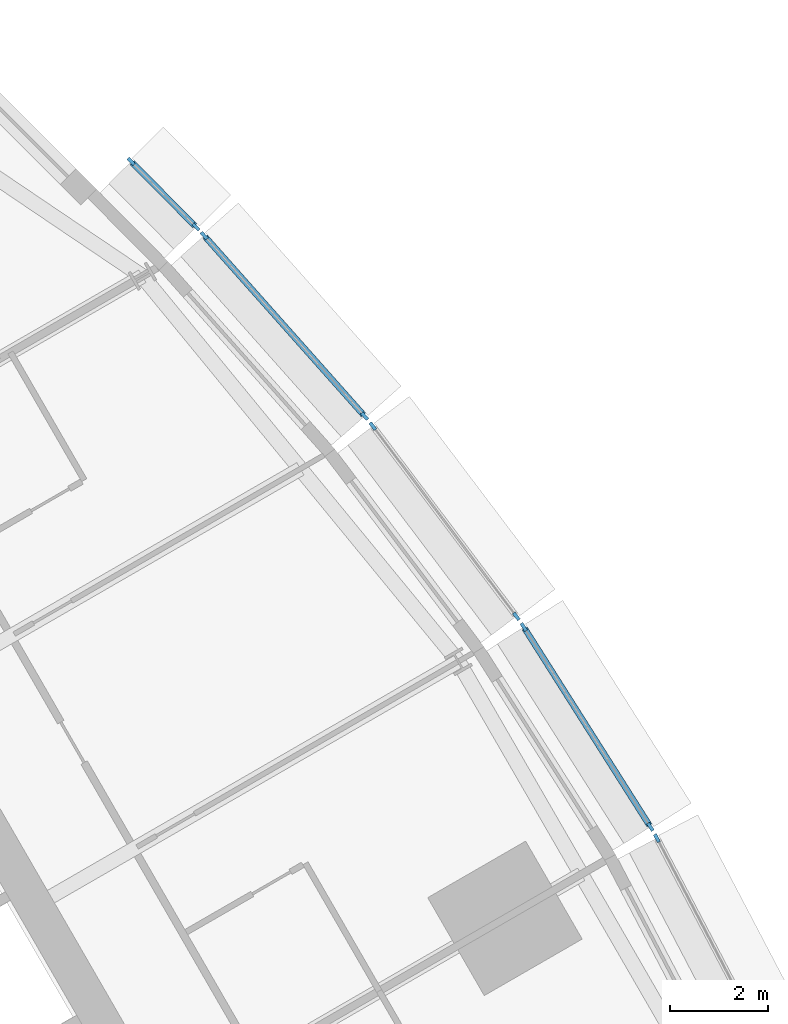
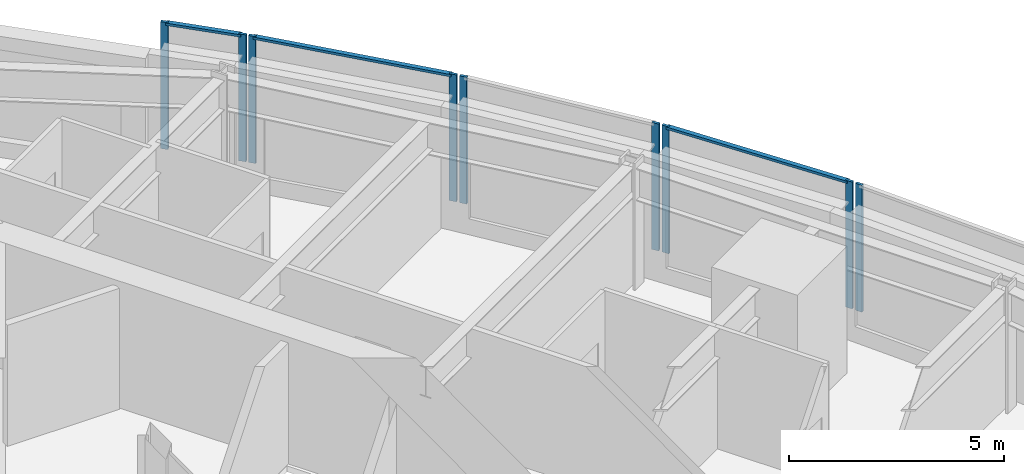
# One storey, part 6 of 15: 12 members, 5 elements without a shape of their own.
"""IFC4 building model written with IfcOpenShell, lengths in metres."""

from ifc_helpers import new_model, si_unit, direction, frame, origin, origin_2d, place, context, subcontext, project, spatial, rectangle, extrude, material, material_profile, profile_set, type_object, element, aggregate, save


model = new_model("IFC4")

# Units and contexts
model_context = context("Model", 3, precision=1e-05, world=origin(), true_north=direction((0.0, 1.0)))
body_context = subcontext(model_context, "Body", "Model", "MODEL_VIEW")
ifc_project = project(units=[si_unit("LENGTHUNIT", "METRE"), si_unit("AREAUNIT", "SQUARE_METRE"), si_unit("VOLUMEUNIT", "CUBIC_METRE"), si_unit("PLANEANGLEUNIT", "RADIAN"), si_unit("MASSUNIT", "GRAM", prefix="KILO")], contexts=[model_context])

# Site, building, storey
site_placement = place(None, origin())
site = spatial("IfcSite", under=ifc_project, at=site_placement, CompositionType="ELEMENT")
building_placement = place(site_placement, origin())
building = spatial("IfcBuilding", under=site, at=building_placement, Name="Trikona Tower", CompositionType="ELEMENT")
storey_placement = place(building_placement, frame((0.0, 0.0, 222.5)))
storey = spatial("IfcBuildingStorey", under=building, at=storey_placement, Name="L59", CompositionType="ELEMENT", Elevation=222.5)

# Curtain wall, member
ifc_material_1 = material(Name="Aluminium curtain wall system", Category="aluminium")
curtain_wall_type = type_object("IfcCurtainWallType", Name="Curtain wall DS3", PredefinedType="NOTDEFINED", material=ifc_material_1)
curtain_wall_1_placement = place(storey_placement, origin())
curtain_wall_1 = element("IfcCurtainWall", 1, at=curtain_wall_1_placement, inside=storey, type_object=curtain_wall_type, Name="Curtain wall DS3 L59", PredefinedType="NOTDEFINED")
ifc_material_2 = material(Name="Aluminium mullion, pale anodised", Category="aluminium")
ifc_material_profile_1 = material_profile(ifc_material_2, rectangle(XDim=0.070068359375, YDim=0.179931640625, at=origin_2d()), Name="MUL-DS3")
ifc_profile_set_1 = profile_set([ifc_material_profile_1], Name="Aluminium mullion, pale anodised")
member_type_1 = type_object("IfcMemberType", Name="Mullion DS3 70x180", PredefinedType="MULLION", material=ifc_profile_set_1)
member_1_placement = place(storey_placement, frame((18.40234375, 10.472412109375, 0.0), z_axis=(0.0, 0.0, 1.0), x_axis=(-0.885862390527, -0.463948084434, 0.0)))
member_1 = element("IfcMember", 2, at=member_1_placement, type_object=member_type_1, Name="CW-DS3 mullion 2", PredefinedType="MULLION", context=body_context, shape_type="SweptSolid", body=[
    extrude(rectangle(XDim=0.070068359375, YDim=0.179931640625, at=origin_2d()), origin(), (0.0, 0.0, 1.0), 3.60009765625),
])
aggregate(curtain_wall_1, [member_1])

# Curtain wall, members
curtain_wall_2_placement = place(storey_placement, origin())
curtain_wall_2 = element("IfcCurtainWall", 3, at=curtain_wall_2_placement, inside=storey, type_object=curtain_wall_type, Name="Curtain wall DS3 L59", PredefinedType="NOTDEFINED")
member_2_placement = place(storey_placement, frame((18.2705078125, 10.700927734375, 0.0), z_axis=(0.0, 0.0, 1.0), x_axis=(-0.844727131858, -0.535197227854, 0.0)))
member_2 = element("IfcMember", 4, at=member_2_placement, type_object=member_type_1, Name="CW-DS3 mullion 1", PredefinedType="MULLION", context=body_context, shape_type="SweptSolid", body=[
    extrude(rectangle(XDim=0.070068359375, YDim=0.179931640625, at=origin_2d()), origin(), (0.0, 0.0, 1.0), 3.60009765625),
])
member_3_placement = place(storey_placement, frame((15.69384765625, 14.767578125, 0.0), z_axis=(0.0, 0.0, 1.0), x_axis=(-0.844727131858, -0.535197227854, 0.0)))
member_3 = element("IfcMember", 5, at=member_3_placement, type_object=member_type_1, Name="CW-DS3 mullion 2", PredefinedType="MULLION", context=body_context, shape_type="SweptSolid", body=[
    extrude(rectangle(XDim=0.070068359375, YDim=0.179931640625, at=origin_2d()), origin(), (0.0, 0.0, 1.0), 3.60009765625),
])

curtain_wall_3_placement = place(storey_placement, origin())
curtain_wall_3 = element("IfcCurtainWall", 6, at=curtain_wall_3_placement, inside=storey, type_object=curtain_wall_type, Name="Curtain wall DS3 L59", PredefinedType="NOTDEFINED")
member_4_placement = place(storey_placement, frame((15.5439453125, 14.984130859375, 0.0), z_axis=(0.0, 0.0, 1.0), x_axis=(-0.798193208724, -0.602401528506, 0.0)))
member_4 = element("IfcMember", 7, at=member_4_placement, type_object=member_type_1, Name="CW-DS3 mullion 1", PredefinedType="MULLION", context=body_context, shape_type="SweptSolid", body=[
    extrude(rectangle(XDim=0.070068359375, YDim=0.179931640625, at=origin_2d()), origin(), (0.0, 0.0, 1.0), 3.60009765625),
])
member_5_placement = place(storey_placement, frame((12.62353515625, 18.853759765625, 0.0), z_axis=(0.0, 0.0, 1.0), x_axis=(-0.798193208724, -0.602401528506, 0.0)))
member_5 = element("IfcMember", 8, at=member_5_placement, type_object=member_type_1, Name="CW-DS3 mullion 2", PredefinedType="MULLION", context=body_context, shape_type="SweptSolid", body=[
    extrude(rectangle(XDim=0.070068359375, YDim=0.179931640625, at=origin_2d()), origin(), (0.0, 0.0, 1.0), 3.60009765625),
])
aggregate(curtain_wall_3, [member_4, member_5])

curtain_wall_4_placement = place(storey_placement, origin())
curtain_wall_4 = element("IfcCurtainWall", 9, at=curtain_wall_4_placement, inside=storey, type_object=curtain_wall_type, Name="Curtain wall DS3 L59", PredefinedType="NOTDEFINED")
member_6_placement = place(storey_placement, frame((12.45751953125, 19.056396484375, 0.0), z_axis=(0.0, 0.0, 1.0), x_axis=(-0.747402677853, -0.664371309689, 0.0)))
member_6 = element("IfcMember", 10, at=member_6_placement, type_object=member_type_1, Name="CW-DS3 mullion 1", PredefinedType="MULLION", context=body_context, shape_type="SweptSolid", body=[
    extrude(rectangle(XDim=0.070068359375, YDim=0.179931640625, at=origin_2d()), origin(), (0.0, 0.0, 1.0), 3.60009765625),
])
member_7_placement = place(storey_placement, frame((9.192138671875, 22.729736328125, 0.0), z_axis=(0.0, 0.0, 1.0), x_axis=(-0.747402677853, -0.664371309689, 0.0)))
member_7 = element("IfcMember", 11, at=member_7_placement, type_object=member_type_1, Name="CW-DS3 mullion 2", PredefinedType="MULLION", context=body_context, shape_type="SweptSolid", body=[
    extrude(rectangle(XDim=0.070068359375, YDim=0.179931640625, at=origin_2d()), origin(), (0.0, 0.0, 1.0), 3.60009765625),
])

curtain_wall_5_placement = place(storey_placement, origin())
curtain_wall_5 = element("IfcCurtainWall", 12, at=curtain_wall_5_placement, inside=storey, type_object=curtain_wall_type, Name="Curtain wall DS3 L59", PredefinedType="NOTDEFINED")
member_8_placement = place(storey_placement, frame((9.028564453125, 22.904052734375, 0.0), z_axis=(0.0, 0.0, 1.0), x_axis=(-0.710051900554, -0.704149343903, 0.0)))
member_8 = element("IfcMember", 13, at=member_8_placement, type_object=member_type_1, Name="CW-DS3 mullion 1", PredefinedType="MULLION", context=body_context, shape_type="SweptSolid", body=[
    extrude(rectangle(XDim=0.070068359375, YDim=0.179931640625, at=origin_2d()), origin(), (0.0, 0.0, 1.0), 3.60009765625),
])
member_9_placement = place(storey_placement, frame((7.7060546875, 24.237548828125, 0.0), z_axis=(0.0, 0.0, 1.0), x_axis=(-0.710051900554, -0.704149343903, 0.0)))
member_9 = element("IfcMember", 14, at=member_9_placement, type_object=member_type_1, Name="CW-DS3 mullion 2", PredefinedType="MULLION", context=body_context, shape_type="SweptSolid", body=[
    extrude(rectangle(XDim=0.070068359375, YDim=0.179931640625, at=origin_2d()), origin(), (0.0, 0.0, 1.0), 3.60009765625),
])

# Member
ifc_material_3 = material(Name="Aluminium transom, pale anodised", Category="aluminium")
ifc_material_profile_2 = material_profile(ifc_material_3, rectangle(XDim=0.1201171875, YDim=0.070068359375, at=origin_2d()), Name="TRN-DS3")
ifc_profile_set_2 = profile_set([ifc_material_profile_2], Name="Aluminium transom, pale anodised")
member_type_2 = type_object("IfcMemberType", Name="Transom DS3 70x120", PredefinedType="USERDEFINED", material=ifc_profile_set_2)
member_10_placement = place(storey_placement, frame((18.251708984375, 10.73046875, 3.56494140625), z_axis=(-0.535192866729, 0.844729894938, 0.0), x_axis=(-0.844729894938, -0.535192866729, 0.0)))
member_10 = element("IfcMember", 15, at=member_10_placement, type_object=member_type_2, Name="CW-DS3 transom 1.1", ObjectType="TRANSOM", PredefinedType="USERDEFINED", context=body_context, shape_type="SweptSolid", body=[
    extrude(rectangle(XDim=0.1201171875, YDim=0.070068359375, at=origin_2d()), origin(), (0.0, 0.0, 1.0), 4.744140625),
])

aggregate(curtain_wall_2, [member_2, member_3, member_10])

member_11_placement = place(storey_placement, frame((12.43408203125, 19.08251953125, 3.56494140625), z_axis=(-0.66436383883, 0.747409318684, 0.0), x_axis=(-0.747409318684, -0.66436383883, 0.0)))
member_11 = element("IfcMember", 16, at=member_11_placement, type_object=member_type_2, Name="CW-DS3 transom 1.1", ObjectType="TRANSOM", PredefinedType="USERDEFINED", context=body_context, shape_type="SweptSolid", body=[
    extrude(rectangle(XDim=0.1201171875, YDim=0.070068359375, at=origin_2d()), origin(), (0.0, 0.0, 1.0), 4.844970703125),
])

aggregate(curtain_wall_4, [member_6, member_7, member_11])

member_12_placement = place(storey_placement, frame((9.00390625, 22.9287109375, 3.56494140625), z_axis=(-0.704130668076, 0.710070420645, 0.0), x_axis=(-0.710070420645, -0.704130668076, 0.0)))
member_12 = element("IfcMember", 17, at=member_12_placement, type_object=member_type_2, Name="CW-DS3 transom 1.1", ObjectType="TRANSOM", PredefinedType="USERDEFINED", context=body_context, shape_type="SweptSolid", body=[
    extrude(rectangle(XDim=0.1201171875, YDim=0.070068359375, at=origin_2d()), origin(), (0.0, 0.0, 1.0), 1.80859375),
])

aggregate(curtain_wall_5, [member_8, member_9, member_12])

save(model, "model.ifc")
